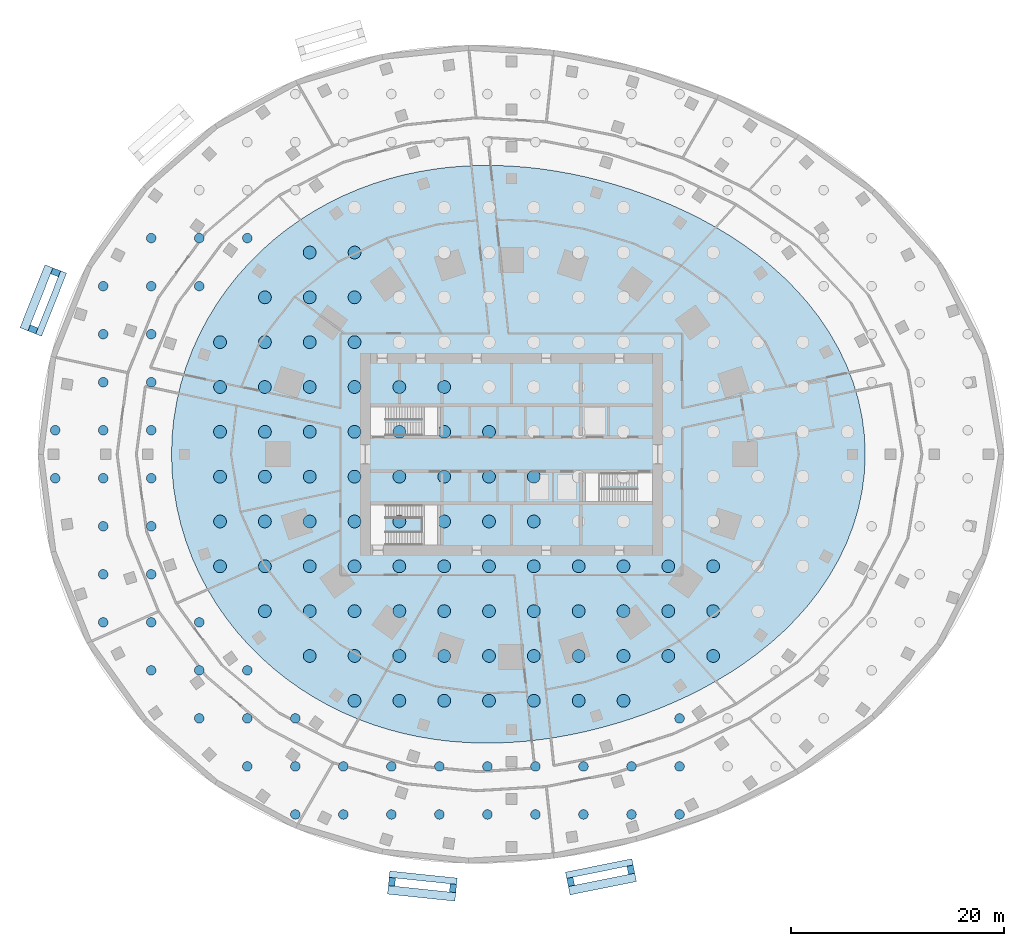
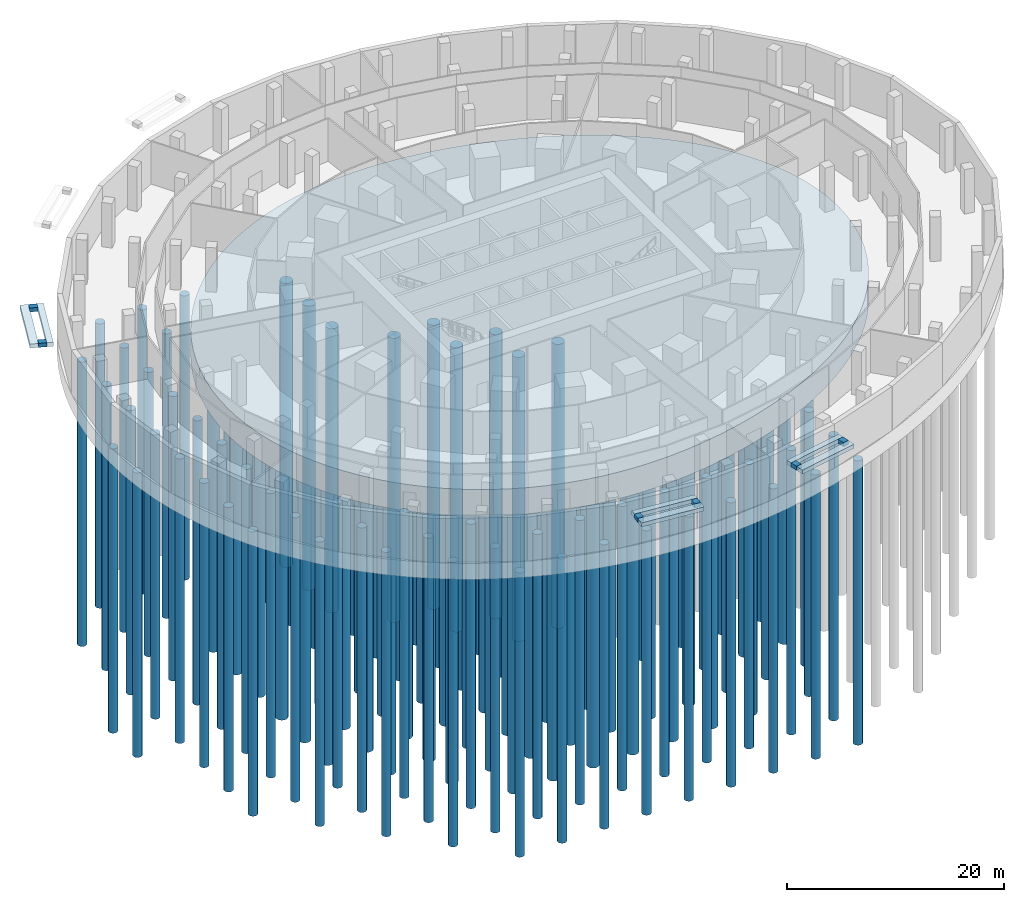
# One storey, part 1 of 11: 127 piles, 13 footings.
"""IFC4 building model written with IfcOpenShell, lengths in metres."""

from ifc_helpers import new_model, si_unit, direction, frame, origin, origin_2d, place, context, subcontext, project, spatial, polyline, circle, outline, extrude, material, layer, layer_set, material_profile, profile_set, type_object, element, save


model = new_model("IFC4")

# Units and contexts
model_context = context("Model", 3, precision=1e-05, world=origin(), true_north=direction((0.0, 1.0)))
body_context = subcontext(model_context, "Body", "Model", "MODEL_VIEW")
ifc_project = project(units=[si_unit("LENGTHUNIT", "METRE"), si_unit("AREAUNIT", "SQUARE_METRE"), si_unit("VOLUMEUNIT", "CUBIC_METRE"), si_unit("PLANEANGLEUNIT", "RADIAN"), si_unit("MASSUNIT", "GRAM", prefix="KILO")], contexts=[model_context])

# Site, building, storey
site_placement = place(None, origin())
site = spatial("IfcSite", under=ifc_project, at=site_placement, CompositionType="ELEMENT")
building_placement = place(site_placement, origin())
building = spatial("IfcBuilding", under=site, at=building_placement, Name="Marramba Exchange Tower", CompositionType="ELEMENT")
storey_placement = place(building_placement, frame((0.0, 0.0, -5.0)))
storey = spatial("IfcBuildingStorey", under=building, at=storey_placement, Name="B1", CompositionType="ELEMENT", Elevation=-5.0)

# Piles
ifc_material_1 = material(Name="Concrete N50", Category="concrete")
ifc_material_profile_1 = material_profile(ifc_material_1, circle(Radius=0.60009765625, at=origin_2d()), Name="BP D1200")
ifc_profile_set_1 = profile_set([ifc_material_profile_1], Name="Concrete N50")
pile_type_1 = type_object("IfcPileType", Name="Bored pile D1200", PredefinedType="BORED", material=ifc_profile_set_1)
for number, where, z_axis, x_axis, name in (
    (1, (-27.300048828125, -10.5, -3.14990234375), (0.0, 0.0, -1.0), (1.0, 0.0, 0.0), "Pile T001"),
    (2, (-27.300048828125, -6.300048828125, -3.14990234375), (0.0, 0.0, -1.0), (1.0, 0.0, 0.0), "Pile T002"),
    (3, (-27.300048828125, -2.10009765625, -3.14990234375), (0.0, 0.0, -1.0), (1.0, 0.0, 0.0), "Pile T003"),
    (4, (-27.300048828125, 2.10009765625, -3.14990234375), (0.0, 0.0, -1.0), (1.0, 0.0, 0.0), "Pile T004"),
    (5, (-27.300048828125, 6.300048828125, -3.14990234375), (0.0, 0.0, -1.0), (1.0, 0.0, 0.0), "Pile T005"),
    (6, (-27.300048828125, 10.5, -3.14990234375), (0.0, 0.0, -1.0), (1.0, 0.0, 0.0), "Pile T006"),
    (7, (-23.10009765625, -14.699951171875, -3.14990234375), (0.0, 0.0, -1.0), (1.0, 0.0, 0.0), "Pile T007"),
    (8, (-23.10009765625, -10.5, -3.14990234375), (0.0, 0.0, -1.0), (1.0, 0.0, 0.0), "Pile T008"),
    (9, (-23.10009765625, -6.300048828125, -3.14990234375), (0.0, 0.0, -1.0), (1.0, 0.0, 0.0), "Pile T009"),
    (10, (-23.10009765625, -2.10009765625, -3.14990234375), (0.0, 0.0, -1.0), (1.0, 0.0, 0.0), "Pile T010"),
    (11, (-23.10009765625, 2.10009765625, -3.14990234375), (0.0, 0.0, -1.0), (1.0, 0.0, 0.0), "Pile T011"),
    (12, (-23.10009765625, 6.300048828125, -3.14990234375), (0.0, 0.0, -1.0), (1.0, 0.0, 0.0), "Pile T012"),
    (13, (-23.10009765625, 10.5, -3.14990234375), (0.0, 0.0, -1.0), (1.0, 0.0, 0.0), "Pile T013"),
    (14, (-23.10009765625, 14.699951171875, -3.14990234375), (0.0, 0.0, -1.0), (1.0, 0.0, 0.0), "Pile T014"),
    (15, (-18.89990234375, -18.89990234375, -3.14990234375), (0.0, 0.0, -1.0), (1.0, 0.0, 0.0), "Pile T015"),
    (16, (-18.89990234375, -14.699951171875, -3.14990234375), (0.0, 0.0, -1.0), (1.0, 0.0, 0.0), "Pile T016"),
    (17, (-18.89990234375, -10.5, -3.14990234375), (0.0, 0.0, -1.0), (1.0, 0.0, 0.0), "Pile T017"),
    (18, (-18.89990234375, -6.300048828125, -3.14990234375), (0.0, 0.0, -1.0), (1.0, 0.0, 0.0), "Pile T018"),
    (19, (-18.89990234375, -2.10009765625, -3.14990234375), (0.0, 0.0, -1.0), (1.0, 0.0, 0.0), "Pile T019"),
    (20, (-18.89990234375, 2.10009765625, -3.14990234375), (0.0, 0.0, -1.0), (1.0, 0.0, 0.0), "Pile T020"),
    (21, (-18.89990234375, 6.300048828125, -3.14990234375), (0.0, 0.0, -1.0), (1.0, 0.0, 0.0), "Pile T021"),
    (22, (-18.89990234375, 10.5, -3.14990234375), (0.0, 0.0, -1.0), (1.0, 0.0, 0.0), "Pile T022"),
    (23, (-18.89990234375, 14.699951171875, -3.14990234375), (0.0, 0.0, -1.0), (1.0, 0.0, 0.0), "Pile T023"),
    (24, (-18.89990234375, 18.89990234375, -3.14990234375), (0.0, 0.0, -1.0), (1.0, 0.0, 0.0), "Pile T024"),
    (25, (-14.699951171875, -23.10009765625, -3.14990234375), (0.0, 0.0, -1.0), (1.0, 0.0, 0.0), "Pile T025"),
    (26, (-14.699951171875, -18.89990234375, -3.14990234375), (0.0, 0.0, -1.0), (1.0, 0.0, 0.0), "Pile T026"),
    (27, (-14.699951171875, -14.699951171875, -3.14990234375), (0.0, 0.0, -1.0), (1.0, 0.0, 0.0), "Pile T027"),
    (28, (-14.699951171875, -10.5, -3.14990234375), (0.0, 0.0, -1.0), (1.0, 0.0, 0.0), "Pile T028"),
    (29, (-14.699951171875, -6.300048828125, -3.14990234375), (0.0, 0.0, -1.0), (1.0, 0.0, 0.0), "Pile T029"),
    (30, (-14.699951171875, -2.10009765625, -3.14990234375), (0.0, 0.0, -1.0), (1.0, 0.0, 0.0), "Pile T030"),
    (31, (-14.699951171875, 2.10009765625, -3.14990234375), (0.0, 0.0, -1.0), (1.0, 0.0, 0.0), "Pile T031"),
    (32, (-14.699951171875, 6.300048828125, -3.14990234375), (0.0, 0.0, -1.0), (1.0, 0.0, 0.0), "Pile T032"),
    (33, (-14.699951171875, 10.5, -3.14990234375), (0.0, 0.0, -1.0), (1.0, 0.0, 0.0), "Pile T033"),
    (34, (-14.699951171875, 14.699951171875, -3.14990234375), (0.0, 0.0, -1.0), (1.0, 0.0, 0.0), "Pile T034"),
    (35, (-14.699951171875, 18.89990234375, -3.14990234375), (0.0, 0.0, -1.0), (1.0, 0.0, 0.0), "Pile T035"),
    (36, (-10.5, -23.10009765625, -3.14990234375), (0.0, 0.0, -1.0), (1.0, 0.0, 0.0), "Pile T037"),
    (37, (-10.5, -18.89990234375, -3.14990234375), (0.0, 0.0, -1.0), (1.0, 0.0, 0.0), "Pile T038"),
    (38, (-10.5, -14.699951171875, -3.14990234375), (0.0, 0.0, -1.0), (1.0, 0.0, 0.0), "Pile T039"),
    (39, (-10.5, -10.5, -3.14990234375), (0.0, 0.0, -1.0), (1.0, 0.0, 0.0), "Pile T040"),
    (40, (-10.5, -6.300048828125, -3.14990234375), (0.0, 0.0, -1.0), (1.0, 0.0, 0.0), "Pile T041"),
    (41, (-10.5, -2.10009765625, -3.14990234375), (0.0, 0.0, -1.0), (1.0, 0.0, 0.0), "Pile T042"),
    (42, (-10.5, 2.10009765625, -3.14990234375), (0.0, 0.0, -1.0), (1.0, 0.0, 0.0), "Pile T043"),
    (43, (-10.5, 6.300048828125, -3.14990234375), (0.0, 0.0, -1.0), (1.0, 0.0, 0.0), "Pile T044"),
    (44, (-6.300048828125, -23.10009765625, -3.14990234375), (0.0, 0.0, -1.0), (1.0, 0.0, 0.0), "Pile T049"),
    (45, (-6.300048828125, -18.89990234375, -3.14990234375), (0.0, 0.0, -1.0), (1.0, 0.0, 0.0), "Pile T050"),
    (46, (-6.300048828125, -14.699951171875, -3.14990234375), (0.0, 0.0, -1.0), (1.0, 0.0, 0.0), "Pile T051"),
    (47, (-6.300048828125, -10.5, -3.14990234375), (0.0, 0.0, -1.0), (1.0, 0.0, 0.0), "Pile T052"),
    (48, (-6.300048828125, -6.300048828125, -3.14990234375), (0.0, 0.0, -1.0), (1.0, 0.0, 0.0), "Pile T053"),
    (49, (-6.300048828125, -2.10009765625, -3.14990234375), (0.0, 0.0, -1.0), (1.0, 0.0, 0.0), "Pile T054"),
    (50, (-6.300048828125, 2.10009765625, -3.14990234375), (0.0, 0.0, -1.0), (1.0, 0.0, 0.0), "Pile T055"),
    (51, (-6.300048828125, 6.300048828125, -3.14990234375), (0.0, 0.0, -1.0), (1.0, 0.0, 0.0), "Pile T056"),
    (52, (-2.10009765625, -23.10009765625, -3.14990234375), (0.0, 0.0, -1.0), (1.0, 0.0, 0.0), "Pile T061"),
    (53, (-2.10009765625, -18.89990234375, -3.14990234375), (0.0, 0.0, -1.0), (1.0, 0.0, 0.0), "Pile T062"),
    (54, (-2.10009765625, -14.699951171875, -3.14990234375), (0.0, 0.0, -1.0), (1.0, 0.0, 0.0), "Pile T063"),
    (55, (-2.10009765625, -10.5, -3.14990234375), (0.0, 0.0, -1.0), (1.0, 0.0, 0.0), "Pile T064"),
    (56, (-2.10009765625, -6.300048828125, -3.14990234375), (0.0, 0.0, -1.0), (1.0, 0.0, 0.0), "Pile T065"),
    (57, (-2.10009765625, -2.10009765625, -3.14990234375), (0.0, 0.0, -1.0), (1.0, 0.0, 0.0), "Pile T066"),
    (58, (-2.10009765625, 2.10009765625, -3.14990234375), (0.0, 0.0, -1.0), (1.0, 0.0, 0.0), "Pile T067"),
    (59, (2.10009765625, -23.10009765625, -3.14990234375), (0.0, 0.0, -1.0), (1.0, 0.0, 0.0), "Pile T073"),
    (60, (2.10009765625, -18.89990234375, -3.14990234375), (0.0, 0.0, -1.0), (1.0, 0.0, 0.0), "Pile T074"),
    (61, (2.10009765625, -14.699951171875, -3.14990234375), (0.0, 0.0, -1.0), (1.0, 0.0, 0.0), "Pile T075"),
    (62, (2.10009765625, -10.5, -3.14990234375), (0.0, 0.0, -1.0), (1.0, 0.0, 0.0), "Pile T076"),
    (63, (2.10009765625, -6.300048828125, -3.14990234375), (0.0, 0.0, -1.0), (1.0, 0.0, 0.0), "Pile T077"),
    (64, (2.10009765625, -2.10009765625, -3.14990234375), (0.0, 0.0, -1.0), (1.0, 0.0, 0.0), "Pile T078"),
    (65, (6.300048828125, -23.10009765625, -3.14990234375), (0.0, 0.0, -1.0), (1.0, 0.0, 0.0), "Pile T085"),
    (66, (6.300048828125, -18.89990234375, -3.14990234375), (0.0, 0.0, -1.0), (1.0, 0.0, 0.0), "Pile T086"),
    (67, (6.300048828125, -14.699951171875, -3.14990234375), (0.0, 0.0, -1.0), (1.0, 0.0, 0.0), "Pile T087"),
    (68, (6.300048828125, -10.5, -3.14990234375), (0.0, 0.0, -1.0), (1.0, 0.0, 0.0), "Pile T088"),
    (69, (10.5, -23.10009765625, -3.14990234375), (0.0, 0.0, -1.0), (1.0, 0.0, 0.0), "Pile T097"),
    (70, (10.5, -18.89990234375, -3.14990234375), (0.0, 0.0, -1.0), (1.0, 0.0, 0.0), "Pile T098"),
    (71, (10.5, -14.699951171875, -3.14990234375), (0.0, 0.0, -1.0), (1.0, 0.0, 0.0), "Pile T099"),
    (72, (10.5, -10.5, -3.14990234375), (0.0, 0.0, -1.0), (1.0, 0.0, 0.0), "Pile T100"),
    (73, (14.699951171875, -18.89990234375, -3.14990234375), (0.0, 0.0, -1.0), (1.0, 0.0, 0.0), "Pile T109"),
    (74, (14.699951171875, -14.699951171875, -3.14990234375), (0.0, 0.0, -1.0), (1.0, 0.0, 0.0), "Pile T110"),
    (75, (14.699951171875, -10.5, -3.14990234375), (0.0, 0.0, -1.0), (1.0, 0.0, 0.0), "Pile T111"),
    (76, (18.89990234375, -18.89990234375, -3.14990234375), (0.0, 0.0, -1.0), (1.0, 0.0, 0.0), "Pile T119"),
    (77, (18.89990234375, -14.699951171875, -3.14990234375), (0.0, 0.0, -1.0), (1.0, 0.0, 0.0), "Pile T120"),
    (78, (18.89990234375, -10.5, -3.14990234375), (0.0, 0.0, -1.0), (1.0, 0.0, 0.0), "Pile T121"),
):
    element("IfcPile", number, at=place(storey_placement, frame(where, z_axis=z_axis, x_axis=x_axis)), inside=storey, type_object=pile_type_1, Name=name, PredefinedType="BORED", context=body_context, shape_type="SweptSolid", body=[
        extrude(circle(Radius=0.60009765625, at=origin_2d()), origin(), (0.0, 0.0, 1.0), 32.0),
    ])
ifc_material_profile_2 = material_profile(ifc_material_1, circle(Radius=0.449951171875, at=origin_2d()), Name="BP D900")
ifc_profile_set_2 = profile_set([ifc_material_profile_2], Name="Concrete N50")
pile_type_2 = type_object("IfcPileType", Name="Bored pile D900", PredefinedType="BORED", material=ifc_profile_set_2)
for number, where, z_axis, x_axis, name in (
    (79, (-42.75, -2.25, -1.949951171875), (0.0, 0.0, -1.0), (1.0, 0.0, 0.0), "Pile P001"),
    (80, (-42.75, 2.25, -1.949951171875), (0.0, 0.0, -1.0), (1.0, 0.0, 0.0), "Pile P002"),
    (81, (-38.25, -15.75, -1.949951171875), (0.0, 0.0, -1.0), (1.0, 0.0, 0.0), "Pile P003"),
    (82, (-38.25, -11.25, -1.949951171875), (0.0, 0.0, -1.0), (1.0, 0.0, 0.0), "Pile P004"),
    (83, (-38.25, -6.75, -1.949951171875), (0.0, 0.0, -1.0), (1.0, 0.0, 0.0), "Pile P005"),
    (84, (-38.25, -2.25, -1.949951171875), (0.0, 0.0, -1.0), (1.0, 0.0, 0.0), "Pile P006"),
    (85, (-38.25, 2.25, -1.949951171875), (0.0, 0.0, -1.0), (1.0, 0.0, 0.0), "Pile P007"),
    (86, (-38.25, 6.75, -1.949951171875), (0.0, 0.0, -1.0), (1.0, 0.0, 0.0), "Pile P008"),
    (87, (-38.25, 11.25, -1.949951171875), (0.0, 0.0, -1.0), (1.0, 0.0, 0.0), "Pile P009"),
    (88, (-38.25, 15.75, -1.949951171875), (0.0, 0.0, -1.0), (1.0, 0.0, 0.0), "Pile P010"),
    (89, (-33.75, -20.25, -1.949951171875), (0.0, 0.0, -1.0), (1.0, 0.0, 0.0), "Pile P011"),
    (90, (-33.75, -15.75, -1.949951171875), (0.0, 0.0, -1.0), (1.0, 0.0, 0.0), "Pile P012"),
    (91, (-33.75, -11.25, -1.949951171875), (0.0, 0.0, -1.0), (1.0, 0.0, 0.0), "Pile P013"),
    (92, (-33.75, -6.75, -1.949951171875), (0.0, 0.0, -1.0), (1.0, 0.0, 0.0), "Pile P014"),
    (93, (-33.75, -2.25, -1.949951171875), (0.0, 0.0, -1.0), (1.0, 0.0, 0.0), "Pile P015"),
    (94, (-33.75, 2.25, -1.949951171875), (0.0, 0.0, -1.0), (1.0, 0.0, 0.0), "Pile P016"),
    (95, (-33.75, 6.75, -1.949951171875), (0.0, 0.0, -1.0), (1.0, 0.0, 0.0), "Pile P017"),
    (96, (-33.75, 11.25, -1.949951171875), (0.0, 0.0, -1.0), (1.0, 0.0, 0.0), "Pile P018"),
    (97, (-33.75, 15.75, -1.949951171875), (0.0, 0.0, -1.0), (1.0, 0.0, 0.0), "Pile P019"),
    (98, (-33.75, 20.25, -1.949951171875), (0.0, 0.0, -1.0), (1.0, 0.0, 0.0), "Pile P020"),
    (99, (-29.25, -24.75, -1.949951171875), (0.0, 0.0, -1.0), (1.0, 0.0, 0.0), "Pile P021"),
    (100, (-29.25, -20.25, -1.949951171875), (0.0, 0.0, -1.0), (1.0, 0.0, 0.0), "Pile P022"),
    (101, (-29.25, -15.75, -1.949951171875), (0.0, 0.0, -1.0), (1.0, 0.0, 0.0), "Pile P023"),
    (102, (-29.25, 15.75, -1.949951171875), (0.0, 0.0, -1.0), (1.0, 0.0, 0.0), "Pile P024"),
    (103, (-29.25, 20.25, -1.949951171875), (0.0, 0.0, -1.0), (1.0, 0.0, 0.0), "Pile P025"),
    (104, (-24.75, -29.25, -1.949951171875), (0.0, 0.0, -1.0), (1.0, 0.0, 0.0), "Pile P027"),
    (105, (-24.75, -24.75, -1.949951171875), (0.0, 0.0, -1.0), (1.0, 0.0, 0.0), "Pile P028"),
    (106, (-24.75, -20.25, -1.949951171875), (0.0, 0.0, -1.0), (1.0, 0.0, 0.0), "Pile P029"),
    (107, (-24.75, 20.25, -1.949951171875), (0.0, 0.0, -1.0), (1.0, 0.0, 0.0), "Pile P030"),
    (108, (-20.25, -33.75, -1.949951171875), (0.0, 0.0, -1.0), (1.0, 0.0, 0.0), "Pile P033"),
    (109, (-20.25, -29.25, -1.949951171875), (0.0, 0.0, -1.0), (1.0, 0.0, 0.0), "Pile P034"),
    (110, (-20.25, -24.75, -1.949951171875), (0.0, 0.0, -1.0), (1.0, 0.0, 0.0), "Pile P035"),
    (111, (-15.75, -33.75, -1.949951171875), (0.0, 0.0, -1.0), (1.0, 0.0, 0.0), "Pile P039"),
    (112, (-15.75, -29.25, -1.949951171875), (0.0, 0.0, -1.0), (1.0, 0.0, 0.0), "Pile P040"),
    (113, (-11.25, -33.75, -1.949951171875), (0.0, 0.0, -1.0), (1.0, 0.0, 0.0), "Pile P043"),
    (114, (-11.25, -29.25, -1.949951171875), (0.0, 0.0, -1.0), (1.0, 0.0, 0.0), "Pile P044"),
    (115, (-6.75, -33.75, -1.949951171875), (0.0, 0.0, -1.0), (1.0, 0.0, 0.0), "Pile P047"),
    (116, (-6.75, -29.25, -1.949951171875), (0.0, 0.0, -1.0), (1.0, 0.0, 0.0), "Pile P048"),
    (117, (-2.25, -33.75, -1.949951171875), (0.0, 0.0, -1.0), (1.0, 0.0, 0.0), "Pile P051"),
    (118, (-2.25, -29.25, -1.949951171875), (0.0, 0.0, -1.0), (1.0, 0.0, 0.0), "Pile P052"),
    (119, (2.25, -33.75, -1.949951171875), (0.0, 0.0, -1.0), (1.0, 0.0, 0.0), "Pile P055"),
    (120, (2.25, -29.25, -1.949951171875), (0.0, 0.0, -1.0), (1.0, 0.0, 0.0), "Pile P056"),
    (121, (6.75, -33.75, -1.949951171875), (0.0, 0.0, -1.0), (1.0, 0.0, 0.0), "Pile P059"),
    (122, (6.75, -29.25, -1.949951171875), (0.0, 0.0, -1.0), (1.0, 0.0, 0.0), "Pile P060"),
    (123, (11.25, -33.75, -1.949951171875), (0.0, 0.0, -1.0), (1.0, 0.0, 0.0), "Pile P063"),
    (124, (11.25, -29.25, -1.949951171875), (0.0, 0.0, -1.0), (1.0, 0.0, 0.0), "Pile P064"),
    (125, (15.75, -33.75, -1.949951171875), (0.0, 0.0, -1.0), (1.0, 0.0, 0.0), "Pile P067"),
    (126, (15.75, -29.25, -1.949951171875), (0.0, 0.0, -1.0), (1.0, 0.0, 0.0), "Pile P068"),
    (127, (15.75, -24.75, -1.949951171875), (0.0, 0.0, -1.0), (1.0, 0.0, 0.0), "Pile P069"),
):
    element("IfcPile", number, at=place(storey_placement, frame(where, z_axis=z_axis, x_axis=x_axis)), inside=storey, type_object=pile_type_2, Name=name, PredefinedType="BORED", context=body_context, shape_type="SweptSolid", body=[
        extrude(circle(Radius=0.449951171875, at=origin_2d()), origin(), (0.0, 0.0, 1.0), 32.0),
    ])

# Footings
ifc_material_2 = material(Name="Concrete N32 (32 MPa)", Category="concrete")
footing_type_1 = type_object("IfcFootingType", Name="Planter strip footing 600x450", PredefinedType="STRIP_FOOTING", material=ifc_material_2)
footing_1_placement = place(storey_placement, frame((0.0, 0.0, 4.39990234375)))
element("IfcFooting", 128, at=footing_1_placement, inside=storey, type_object=footing_type_1, Name="Strip footing SF1 planter P3 in", PredefinedType="STRIP_FOOTING", context=body_context, shape_type="SweptSolid", body=[
    extrude(outline(polyline([(-41.677001953125, 16.95703125), (-44.02197265625, 11.055908203125), (-44.57958984375, 11.27734375), (-42.234619140625, 17.1787109375), (-41.677001953125, 16.95703125)])), origin(), (0.0, 0.0, 1.0), 0.4501953125),
])
footing_2_placement = place(storey_placement, frame((0.0, 0.0, 4.39990234375)))
element("IfcFooting", 129, at=footing_2_placement, inside=storey, type_object=footing_type_1, Name="Strip footing SF1 planter P3 e0", PredefinedType="STRIP_FOOTING", context=body_context, shape_type="SweptSolid", body=[
    extrude(outline(polyline([(-42.234619140625, 17.1787109375), (-42.4560546875, 16.62109375), (-43.176513671875, 16.9072265625), (-42.954833984375, 17.46484375), (-42.234619140625, 17.1787109375)])), origin(), (0.0, 0.0, 1.0), 0.4501953125),
])
footing_3_placement = place(storey_placement, frame((0.0, 0.0, 4.39990234375)))
element("IfcFooting", 130, at=footing_3_placement, inside=storey, type_object=footing_type_1, Name="Strip footing SF1 planter P3 e1", PredefinedType="STRIP_FOOTING", context=body_context, shape_type="SweptSolid", body=[
    extrude(outline(polyline([(-44.35791015625, 11.8349609375), (-44.57958984375, 11.27734375), (-45.2998046875, 11.563720703125), (-45.078125, 12.12109375), (-44.35791015625, 11.8349609375)])), origin(), (0.0, 0.0, 1.0), 0.4501953125),
])
footing_4_placement = place(storey_placement, frame((0.0, 0.0, 4.39990234375)))
element("IfcFooting", 131, at=footing_4_placement, inside=storey, type_object=footing_type_1, Name="Strip footing SF1 planter P4 in", PredefinedType="STRIP_FOOTING", context=body_context, shape_type="SweptSolid", body=[
    extrude(outline(polyline([(-11.388427734375, -39.04736328125), (-5.07275390625, -39.707763671875), (-5.13525390625, -40.304443359375), (-11.45068359375, -39.64404296875), (-11.388427734375, -39.04736328125)])), origin(), (0.0, 0.0, 1.0), 0.4501953125),
])
footing_5_placement = place(storey_placement, frame((0.0, 0.0, 4.39990234375)))
element("IfcFooting", 132, at=footing_5_placement, inside=storey, type_object=footing_type_1, Name="Strip footing SF1 planter P4 e0", PredefinedType="STRIP_FOOTING", context=body_context, shape_type="SweptSolid", body=[
    extrude(outline(polyline([(-11.45068359375, -39.64404296875), (-10.85400390625, -39.70654296875), (-10.9345703125, -40.477294921875), (-11.531494140625, -40.414794921875), (-11.45068359375, -39.64404296875)])), origin(), (0.0, 0.0, 1.0), 0.4501953125),
])
footing_6_placement = place(storey_placement, frame((0.0, 0.0, 4.39990234375)))
element("IfcFooting", 133, at=footing_6_placement, inside=storey, type_object=footing_type_1, Name="Strip footing SF1 planter P4 e1", PredefinedType="STRIP_FOOTING", context=body_context, shape_type="SweptSolid", body=[
    extrude(outline(polyline([(-5.73193359375, -40.241943359375), (-5.13525390625, -40.304443359375), (-5.2158203125, -41.0751953125), (-5.8125, -41.012939453125), (-5.73193359375, -40.241943359375)])), origin(), (0.0, 0.0, 1.0), 0.4501953125),
])
footing_7_placement = place(storey_placement, frame((0.0, 0.0, 4.39990234375)))
element("IfcFooting", 134, at=footing_7_placement, inside=storey, type_object=footing_type_1, Name="Strip footing SF1 planter P5 in", PredefinedType="STRIP_FOOTING", context=body_context, shape_type="SweptSolid", body=[
    extrude(outline(polyline([(5.0625, -39.153564453125), (11.287353515625, -37.8984375), (11.40576171875, -38.486572265625), (5.18115234375, -39.74169921875), (5.0625, -39.153564453125)])), origin(), (0.0, 0.0, 1.0), 0.4501953125),
])
footing_8_placement = place(storey_placement, frame((0.0, 0.0, 4.39990234375)))
element("IfcFooting", 135, at=footing_8_placement, inside=storey, type_object=footing_type_1, Name="Strip footing SF1 planter P5 e0", PredefinedType="STRIP_FOOTING", context=body_context, shape_type="SweptSolid", body=[
    extrude(outline(polyline([(5.18115234375, -39.74169921875), (5.769287109375, -39.623046875), (5.92236328125, -40.3828125), (5.334228515625, -40.501220703125), (5.18115234375, -39.74169921875)])), origin(), (0.0, 0.0, 1.0), 0.4501953125),
])
footing_9_placement = place(storey_placement, frame((0.0, 0.0, 4.39990234375)))
element("IfcFooting", 136, at=footing_9_placement, inside=storey, type_object=footing_type_1, Name="Strip footing SF1 planter P5 e1", PredefinedType="STRIP_FOOTING", context=body_context, shape_type="SweptSolid", body=[
    extrude(outline(polyline([(10.817626953125, -38.605224609375), (11.40576171875, -38.486572265625), (11.55908203125, -39.246337890625), (10.970947265625, -39.364990234375), (10.817626953125, -38.605224609375)])), origin(), (0.0, 0.0, 1.0), 0.4501953125),
])
footing_type_2 = type_object("IfcFootingType", Name="Seat wall strip footing 800x450", PredefinedType="STRIP_FOOTING", material=ifc_material_2)
footing_10_placement = place(storey_placement, frame((0.0, 0.0, 4.39990234375)))
element("IfcFooting", 137, at=footing_10_placement, inside=storey, type_object=footing_type_2, Name="Strip footing SF2 planter P3 out", PredefinedType="STRIP_FOOTING", context=body_context, shape_type="SweptSolid", body=[
    extrude(outline(polyline([(-42.954833984375, 17.46484375), (-45.2998046875, 11.563720703125), (-46.043212890625, 11.859130859375), (-43.6982421875, 17.76025390625), (-42.954833984375, 17.46484375)])), origin(), (0.0, 0.0, 1.0), 0.4501953125),
])
footing_11_placement = place(storey_placement, frame((0.0, 0.0, 4.39990234375)))
element("IfcFooting", 138, at=footing_11_placement, inside=storey, type_object=footing_type_2, Name="Strip footing SF2 planter P4 out", PredefinedType="STRIP_FOOTING", context=body_context, shape_type="SweptSolid", body=[
    extrude(outline(polyline([(-11.531494140625, -40.414794921875), (-5.2158203125, -41.0751953125), (-5.299072265625, -41.870849609375), (-11.614501953125, -41.21044921875), (-11.531494140625, -40.414794921875)])), origin(), (0.0, 0.0, 1.0), 0.4501953125),
])
footing_12_placement = place(storey_placement, frame((0.0, 0.0, 4.39990234375)))
element("IfcFooting", 139, at=footing_12_placement, inside=storey, type_object=footing_type_2, Name="Strip footing SF2 planter P5 out", PredefinedType="STRIP_FOOTING", context=body_context, shape_type="SweptSolid", body=[
    extrude(outline(polyline([(5.334228515625, -40.501220703125), (11.55908203125, -39.246337890625), (11.717041015625, -40.030517578125), (5.492431640625, -41.28564453125), (5.334228515625, -40.501220703125)])), origin(), (0.0, 0.0, 1.0), 0.4501953125),
])
ifc_material_3 = material(Name="Concrete N50 (50 MPa)", Category="concrete")
ifc_layer = layer(ifc_material_3, 3.0)
ifc_layer_set = layer_set([ifc_layer], Name="Concrete N50 (50 MPa)")
footing_type_3 = type_object("IfcFootingType", Name="Tower piled raft 3000", PredefinedType="PILE_CAP", material=ifc_layer_set)
footing_13_placement = place(storey_placement, frame((0.0, 0.0, -3.14990234375)))
element("IfcFooting", 140, at=footing_13_placement, inside=storey, type_object=footing_type_3, Name="Tower piled raft RF1", PredefinedType="PILE_CAP", context=body_context, shape_type="SweptSolid", body=[
    extrude(outline(polyline([(33.14990234375, 0.0), (33.076171875, 1.7333984375), (32.856201171875, 3.453369140625), (32.493896484375, 5.146484375), (31.9951171875, 6.80078125), (31.368408203125, 8.405029296875), (30.623291015625, 9.9501953125), (29.770751953125, 11.427978515625), (28.82275390625, 12.832763671875), (27.791015625, 14.16015625), (26.68798828125, 15.408447265625), (25.525146484375, 16.576171875), (24.31298828125, 17.66455078125), (23.061767578125, 18.675048828125), (21.77978515625, 19.610595703125), (20.474365234375, 20.474365234375), (19.152099609375, 21.2705078125), (17.81787109375, 22.003173828125), (16.47509765625, 22.676025390625), (15.126708984375, 23.29296875), (13.774169921875, 23.857666015625), (12.418701171875, 24.373046875), (11.06005859375, 24.841552734375), (9.698486328125, 25.26513671875), (8.332763671875, 25.645263671875), (6.9619140625, 25.982177734375), (5.585205078125, 26.276123046875), (4.201416015625, 26.526123046875), (2.8095703125, 26.7314453125), (1.4091796875, 26.89013671875), (0.0, 27.0), (-1.418212890625, 27.058837890625), (-2.844482421875, 27.06396484375), (-4.2783203125, 27.01220703125), (-5.718017578125, 26.901123046875), (-7.16162109375, 26.7275390625), (-8.606689453125, 26.48876953125), (-10.05029296875, 26.18212890625), (-11.489013671875, 25.804931640625), (-12.919189453125, 25.355224609375), (-14.33642578125, 24.831298828125), (-15.736328125, 24.231689453125), (-17.114013671875, 23.555419921875), (-18.46435546875, 22.801513671875), (-19.7822265625, 21.97021484375), (-21.061767578125, 21.061767578125), (-22.2978515625, 20.0771484375), (-23.484375, 19.017333984375), (-24.615478515625, 17.88427734375), (-25.685302734375, 16.68017578125), (-26.68798828125, 15.408447265625), (-27.61767578125, 14.072021484375), (-28.468505859375, 12.675048828125), (-29.23486328125, 11.22216796875), (-29.91162109375, 9.71875), (-30.49365234375, 8.170654296875), (-30.976318359375, 6.584228515625), (-31.356201171875, 4.96630859375), (-31.629638671875, 3.324462890625), (-31.794921875, 1.666259765625), (-31.85009765625, 0.0), (-31.794921875, -1.666259765625), (-31.629638671875, -3.324462890625), (-31.356201171875, -4.96630859375), (-30.976318359375, -6.584228515625), (-30.49365234375, -8.170654296875), (-29.91162109375, -9.71875), (-29.23486328125, -11.22216796875), (-28.468505859375, -12.675048828125), (-27.61767578125, -14.072021484375), (-26.68798828125, -15.408447265625), (-25.685302734375, -16.68017578125), (-24.615478515625, -17.88427734375), (-23.484375, -19.017333984375), (-22.2978515625, -20.0771484375), (-21.061767578125, -21.061767578125), (-19.7822265625, -21.97021484375), (-18.46435546875, -22.801513671875), (-17.114013671875, -23.555419921875), (-15.736328125, -24.231689453125), (-14.33642578125, -24.831298828125), (-12.919189453125, -25.355224609375), (-11.489013671875, -25.804931640625), (-10.05029296875, -26.18212890625), (-8.606689453125, -26.48876953125), (-7.16162109375, -26.7275390625), (-5.718017578125, -26.901123046875), (-4.2783203125, -27.01220703125), (-2.844482421875, -27.06396484375), (-1.418212890625, -27.058837890625), (0.0, -27.0), (1.4091796875, -26.89013671875), (2.8095703125, -26.7314453125), (4.201416015625, -26.526123046875), (5.585205078125, -26.276123046875), (6.9619140625, -25.982177734375), (8.332763671875, -25.645263671875), (9.698486328125, -25.26513671875), (11.06005859375, -24.841552734375), (12.418701171875, -24.373046875), (13.774169921875, -23.857666015625), (15.126708984375, -23.29296875), (16.47509765625, -22.676025390625), (17.81787109375, -22.003173828125), (19.152099609375, -21.2705078125), (20.474365234375, -20.474365234375), (21.77978515625, -19.610595703125), (23.061767578125, -18.675048828125), (24.31298828125, -17.66455078125), (25.525146484375, -16.576171875), (26.68798828125, -15.408447265625), (27.791015625, -14.16015625), (28.82275390625, -12.832763671875), (29.770751953125, -11.427978515625), (30.623291015625, -9.9501953125), (31.368408203125, -8.405029296875), (31.9951171875, -6.80078125), (32.493896484375, -5.146484375), (32.856201171875, -3.453369140625), (33.076171875, -1.7333984375), (33.14990234375, 0.0)])), origin(), (0.0, 0.0, 1.0), 3.0),
])

save(model, "model.ifc")
